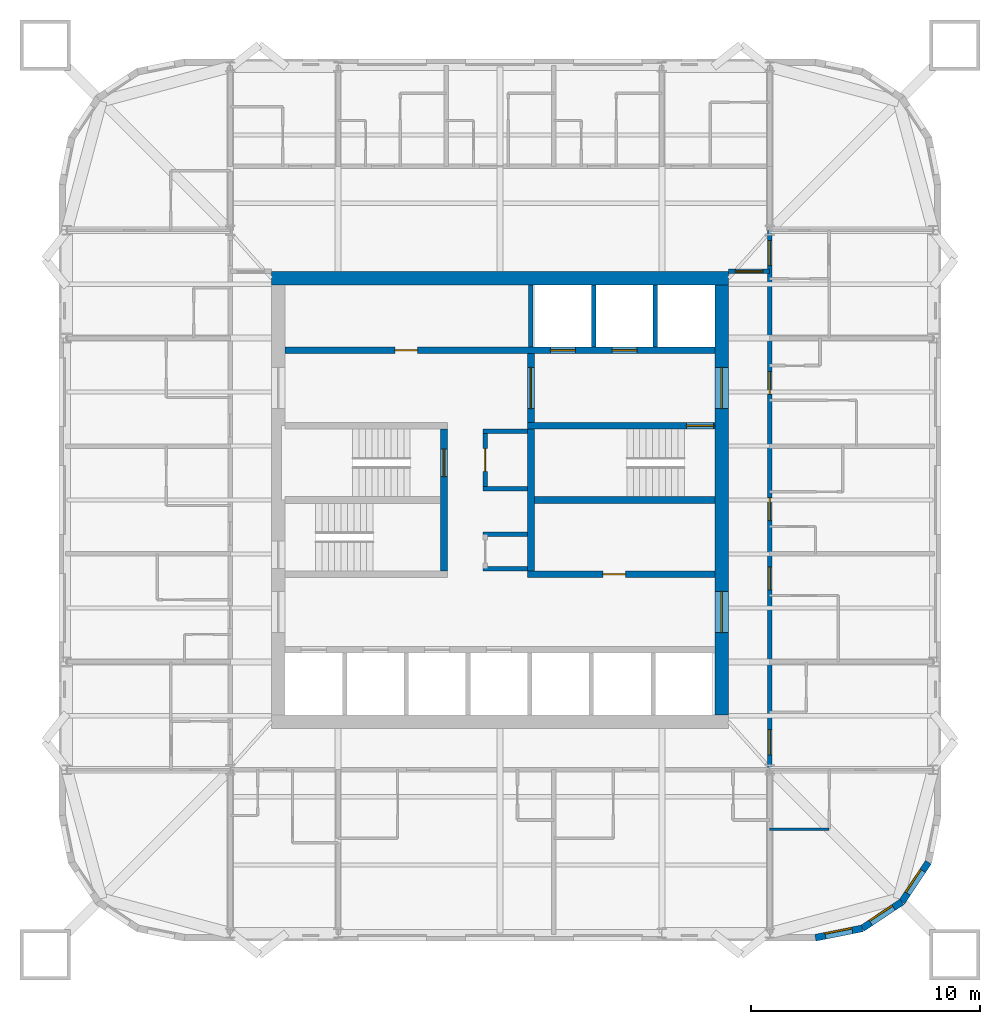
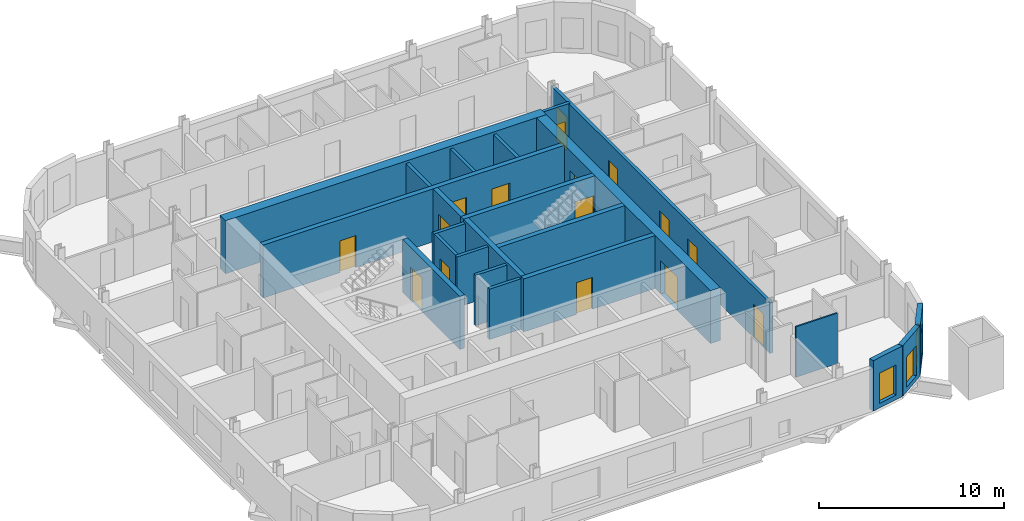
# One storey, part 5 of 9: 22 walls, 16 doors, 3 windows, 19 openings.
"""IFC4 building model written with IfcOpenShell, lengths in metres."""

from ifc_helpers import new_model, si_unit, direction, frame, frame_2d, origin, place, context, subcontext, project, spatial, rectangle, extrude, material, layer, layer_set, type_object, element, fill, save


model = new_model("IFC4")

# Units and contexts
model_context = context("Model", 3, precision=1e-05, world=origin(), true_north=direction((0.0, 1.0)))
body_context = subcontext(model_context, "Body", "Model", "MODEL_VIEW")
ifc_project = project(units=[si_unit("LENGTHUNIT", "METRE"), si_unit("AREAUNIT", "SQUARE_METRE"), si_unit("VOLUMEUNIT", "CUBIC_METRE"), si_unit("PLANEANGLEUNIT", "RADIAN"), si_unit("MASSUNIT", "GRAM", prefix="KILO")], contexts=[model_context])

# Site, building, storey
site_placement = place(None, origin())
site = spatial("IfcSite", under=ifc_project, at=site_placement, CompositionType="ELEMENT")
building_placement = place(site_placement, origin())
building = spatial("IfcBuilding", under=site, at=building_placement, Name="Turquesa Mirador Hotel Tower", CompositionType="ELEMENT")
storey_placement = place(building_placement, frame((0.0, 0.0, 175.800048828125)))
storey = spatial("IfcBuildingStorey", under=building, at=storey_placement, Name="L47", CompositionType="ELEMENT", Elevation=175.800048828125)

# Wall
ifc_material_1 = material(Name="Gypsum board on steel studs", Category="steel")
ifc_layer_1 = layer(ifc_material_1, 0.10009765625)
ifc_layer_set_1 = layer_set([ifc_layer_1], Name="BATHROOM WALL 100")
wall_type_1 = type_object("IfcWallType", Name="BATHROOM WALL 100", PredefinedType="PARTITIONING", material=ifc_layer_set_1)
wall_1_placement = place(storey_placement, frame((66.800048828125, 30.60009765625, 0.0), z_axis=(0.0, 0.0, 1.0), x_axis=(1.0, 0.0, 0.0)))
element("IfcWall", 1, at=wall_1_placement, inside=storey, type_object=wall_type_1, Name="Partition L47 010", PredefinedType="PARTITIONING", context=body_context, shape_type="SweptSolid", body=[
    extrude(rectangle(XDim=2.599853515625, YDim=0.10009765625, at=frame_2d((1.2998046875, 0.0))), origin(), (0.0, 0.0, 1.0), 3.329833984375),
])

# Wall, openings, doors
ifc_material_2 = material(Name="Concrete C50/60", Category="concrete")
ifc_layer_2 = layer(ifc_material_2, 0.300048828125)
ifc_layer_set_2 = layer_set([ifc_layer_2], Name="CORE INNER WALL 300")
wall_type_2 = type_object("IfcWallType", Name="CORE INNER WALL 300", PredefinedType="SHEAR", material=ifc_layer_set_2)
wall_2_placement = place(storey_placement, frame((45.60009765625, 51.550048828125, 0.0), z_axis=(0.0, 0.0, 1.0), x_axis=(1.0, 0.0, 0.0)))
wall_2 = element("IfcWall", 2, at=wall_2_placement, inside=storey, type_object=wall_type_2, Name="Core wall NL", PredefinedType="SHEAR", context=body_context, shape_type="SweptSolid", body=[
    extrude(rectangle(XDim=18.7998046875, YDim=0.300048828125, at=frame_2d((9.39990234375, 0.0))), origin(), (0.0, 0.0, 1.0), 3.5),
])
opening_1_placement = place(wall_2_placement, frame((4.800048828125, 0.0, 0.0)))
opening_1 = element("IfcOpeningElement", 3, at=opening_1_placement, cuts=wall_2, Name="Opening D05", PredefinedType="OPENING", context=body_context, shape_type="SweptSolid", body=[
    extrude(rectangle(XDim=1.0, YDim=2.10009765625, at=frame_2d((0.5, 1.050048828125))), frame((0.0, 0.159912109375, 0.0), z_axis=(0.0, -1.0, 0.0), x_axis=(1.0, 0.0, 0.0)), (0.0, 0.0, 1.0), 0.320068359375),
])
opening_2_placement = place(wall_2_placement, frame((11.60009765625, 0.0, 0.0)))
opening_2 = element("IfcOpeningElement", 4, at=opening_2_placement, cuts=wall_2, Name="Opening LD", PredefinedType="OPENING", context=body_context, shape_type="SweptSolid", body=[
    extrude(rectangle(XDim=1.10009765625, YDim=2.199951171875, at=frame_2d((0.550048828125, 1.10009765625))), frame((0.0, 0.159912109375, 0.0), z_axis=(0.0, -1.0, 0.0), x_axis=(1.0, 0.0, 0.0)), (0.0, 0.0, 1.0), 0.320068359375),
])
opening_3_placement = place(wall_2_placement, frame((14.300048828125, 0.0, 0.0)))
opening_3 = element("IfcOpeningElement", 5, at=opening_3_placement, cuts=wall_2, Name="Opening LD", PredefinedType="OPENING", context=body_context, shape_type="SweptSolid", body=[
    extrude(rectangle(XDim=1.10009765625, YDim=2.199951171875, at=frame_2d((0.550048828125, 1.10009765625))), frame((0.0, 0.159912109375, 0.0), z_axis=(0.0, -1.0, 0.0), x_axis=(1.0, 0.0, 0.0)), (0.0, 0.0, 1.0), 0.320068359375),
])
ifc_material_3 = material(Name="Steel fire door", Category="steel")
door_type_1 = type_object("IfcDoorType", Name="DOOR 1000X2100 SERVICE", OperationType="SINGLE_SWING_LEFT", PredefinedType="DOOR", material=ifc_material_3)
door_1_placement = place(opening_1_placement, origin())
door_1 = element("IfcDoor", 6, at=door_1_placement, inside=storey, type_object=door_type_1, Name="Linen store door", OperationType="SINGLE_SWING_LEFT", OverallHeight=2.10009765625, OverallWidth=1.0, PredefinedType="DOOR", context=body_context, shape_type="SweptSolid", body=[
    extrude(rectangle(XDim=1.0, YDim=2.10009765625, at=frame_2d((0.5, 1.050048828125))), frame((0.0, 0.02490234375, 0.0), z_axis=(0.0, -1.0, 0.0), x_axis=(1.0, 0.0, 0.0)), (0.0, 0.0, 1.0), 0.050048828125),
])
fill(opening_1, door_1)
ifc_material_4 = material(Name="Stainless steel lift landing door", Category="steel")
door_type_2 = type_object("IfcDoorType", Name="LIFT LANDING DOOR 1100X2200", OperationType="SLIDING_TO_LEFT", PredefinedType="DOOR", material=ifc_material_4)
door_2_placement = place(opening_2_placement, origin())
door_2 = element("IfcDoor", 7, at=door_2_placement, inside=storey, type_object=door_type_2, Name="Lift S1 landing door", OperationType="SLIDING_TO_LEFT", OverallHeight=2.199951171875, OverallWidth=1.10009765625, PredefinedType="DOOR", context=body_context, shape_type="SweptSolid", body=[
    extrude(rectangle(XDim=1.10009765625, YDim=2.199951171875, at=frame_2d((0.550048828125, 1.10009765625))), frame((0.0, 0.02490234375, 0.0), z_axis=(0.0, -1.0, 0.0), x_axis=(1.0, 0.0, 0.0)), (0.0, 0.0, 1.0), 0.050048828125),
])
fill(opening_2, door_2)
door_3_placement = place(opening_3_placement, origin())
door_3 = element("IfcDoor", 8, at=door_3_placement, inside=storey, type_object=door_type_2, Name="Lift S2 landing door", OperationType="SLIDING_TO_LEFT", OverallHeight=2.199951171875, OverallWidth=1.10009765625, PredefinedType="DOOR", context=body_context, shape_type="SweptSolid", body=[
    extrude(rectangle(XDim=1.10009765625, YDim=2.199951171875, at=frame_2d((0.550048828125, 1.10009765625))), frame((0.0, 0.02490234375, 0.0), z_axis=(0.0, -1.0, 0.0), x_axis=(1.0, 0.0, 0.0)), (0.0, 0.0, 1.0), 0.050048828125),
])
fill(opening_3, door_3)

# Wall, opening, door
wall_3_placement = place(storey_placement, frame((56.199951171875, 48.25, 0.0), z_axis=(0.0, 0.0, 1.0), x_axis=(1.0, 0.0, 0.0)))
wall_3 = element("IfcWall", 9, at=wall_3_placement, inside=storey, type_object=wall_type_2, Name="Core wall MN-E", PredefinedType="SHEAR", context=body_context, shape_type="SweptSolid", body=[
    extrude(rectangle(XDim=8.199951171875, YDim=0.300048828125, at=frame_2d((4.10009765625, 0.0))), origin(), (0.0, 0.0, 1.0), 3.5),
])
opening_4_placement = place(wall_3_placement, frame((6.949951171875, 0.0, 0.0)))
opening_4 = element("IfcOpeningElement", 10, at=opening_4_placement, cuts=wall_3, Name="Opening D03", PredefinedType="OPENING", context=body_context, shape_type="SweptSolid", body=[
    extrude(rectangle(XDim=1.199951171875, YDim=2.199951171875, at=frame_2d((0.60009765625, 1.10009765625))), frame((0.0, 0.159912109375, 0.0), z_axis=(0.0, -1.0, 0.0), x_axis=(1.0, 0.0, 0.0)), (0.0, 0.0, 1.0), 0.320068359375),
])
ifc_material_5 = material(Name="Steel fire door", Category="steel")
door_type_3 = type_object("IfcDoorType", Name="DOOR 1200X2200 STAIR", OperationType="SINGLE_SWING_LEFT", PredefinedType="DOOR", material=ifc_material_5)
door_4_placement = place(opening_4_placement, origin())
door_4 = element("IfcDoor", 11, at=door_4_placement, inside=storey, type_object=door_type_3, Name="Stair ST3 door", OperationType="SINGLE_SWING_LEFT", OverallHeight=2.199951171875, OverallWidth=1.199951171875, PredefinedType="DOOR", context=body_context, shape_type="SweptSolid", body=[
    extrude(rectangle(XDim=1.199951171875, YDim=2.199951171875, at=frame_2d((0.60009765625, 1.10009765625))), frame((0.0, 0.02490234375, 0.0), z_axis=(0.0, -1.0, 0.0), x_axis=(1.0, 0.0, 0.0)), (0.0, 0.0, 1.0), 0.050048828125),
])
fill(opening_4, door_4)

wall_4_placement = place(storey_placement, frame((56.199951171875, 41.75, 0.0), z_axis=(0.0, 0.0, 1.0), x_axis=(1.0, 0.0, 0.0)))
wall_4 = element("IfcWall", 12, at=wall_4_placement, inside=storey, type_object=wall_type_2, Name="Core wall MS-E", PredefinedType="SHEAR", context=body_context, shape_type="SweptSolid", body=[
    extrude(rectangle(XDim=8.199951171875, YDim=0.300048828125, at=frame_2d((4.10009765625, 0.0))), origin(), (0.0, 0.0, 1.0), 3.5),
])
opening_5_placement = place(wall_4_placement, frame((3.300048828125, 0.0, 0.0)))
opening_5 = element("IfcOpeningElement", 13, at=opening_5_placement, cuts=wall_4, Name="Opening D05", PredefinedType="OPENING", context=body_context, shape_type="SweptSolid", body=[
    extrude(rectangle(XDim=1.0, YDim=2.10009765625, at=frame_2d((0.5, 1.050048828125))), frame((0.0, 0.159912109375, 0.0), z_axis=(0.0, -1.0, 0.0), x_axis=(1.0, 0.0, 0.0)), (0.0, 0.0, 1.0), 0.320068359375),
])
door_5_placement = place(opening_5_placement, origin())
door_5 = element("IfcDoor", 14, at=door_5_placement, inside=storey, type_object=door_type_1, Name="Housekeeping room door", OperationType="SINGLE_SWING_LEFT", OverallHeight=2.10009765625, OverallWidth=1.0, PredefinedType="DOOR", context=body_context, shape_type="SweptSolid", body=[
    extrude(rectangle(XDim=1.0, YDim=2.10009765625, at=frame_2d((0.5, 1.050048828125))), frame((0.0, 0.02490234375, 0.0), z_axis=(0.0, -1.0, 0.0), x_axis=(1.0, 0.0, 0.0)), (0.0, 0.0, 1.0), 0.050048828125),
])
fill(opening_5, door_5)

wall_5_placement = place(storey_placement, frame((52.550048828125, 41.89990234375, 0.0), z_axis=(0.0, 0.0, 1.0), x_axis=(0.0, 1.0, 0.0)))
wall_5 = element("IfcWall", 15, at=wall_5_placement, inside=storey, type_object=wall_type_2, Name="Core wall PW", PredefinedType="SHEAR", context=body_context, shape_type="SweptSolid", body=[
    extrude(rectangle(XDim=6.2001953125, YDim=0.300048828125, at=frame_2d((3.10009765625, 0.0))), origin(), (0.0, 0.0, 1.0), 3.5),
])
opening_6_placement = place(wall_5_placement, frame((4.125, 0.0, 0.0)))
opening_6 = element("IfcOpeningElement", 16, at=opening_6_placement, cuts=wall_5, Name="Opening D03", PredefinedType="OPENING", context=body_context, shape_type="SweptSolid", body=[
    extrude(rectangle(XDim=1.199951171875, YDim=2.199951171875, at=frame_2d((0.60009765625, 1.10009765625))), frame((0.0, 0.159912109375, 0.0), z_axis=(0.0, -1.0, 0.0), x_axis=(1.0, 0.0, 0.0)), (0.0, 0.0, 1.0), 0.320068359375),
])
door_6_placement = place(opening_6_placement, origin())
door_6 = element("IfcDoor", 17, at=door_6_placement, inside=storey, type_object=door_type_3, Name="Stair ST1 door", OperationType="SINGLE_SWING_LEFT", OverallHeight=2.199951171875, OverallWidth=1.199951171875, PredefinedType="DOOR", context=body_context, shape_type="SweptSolid", body=[
    extrude(rectangle(XDim=1.199951171875, YDim=2.199951171875, at=frame_2d((0.60009765625, 1.10009765625))), frame((0.0, 0.02490234375, 0.0), z_axis=(0.0, -1.0, 0.0), x_axis=(1.0, 0.0, 0.0)), (0.0, 0.0, 1.0), 0.050048828125),
])
fill(opening_6, door_6)

wall_6_placement = place(storey_placement, frame((56.35009765625, 41.89990234375, 0.0), z_axis=(0.0, 0.0, 1.0), x_axis=(0.0, 1.0, 0.0)))
wall_6 = element("IfcWall", 18, at=wall_6_placement, inside=storey, type_object=wall_type_2, Name="Core wall PE", PredefinedType="SHEAR", context=body_context, shape_type="SweptSolid", body=[
    extrude(rectangle(XDim=9.5, YDim=0.300048828125, at=frame_2d((4.75, 0.0))), origin(), (0.0, 0.0, 1.0), 3.5),
])
opening_7_placement = place(wall_6_placement, frame((7.10009765625, 0.0, 0.0)))
opening_7 = element("IfcOpeningElement", 19, at=opening_7_placement, cuts=wall_6, Name="Opening D04", PredefinedType="OPENING", context=body_context, shape_type="SweptSolid", body=[
    extrude(rectangle(XDim=1.800048828125, YDim=2.199951171875, at=frame_2d((0.89990234375, 1.10009765625))), frame((0.0, 0.159912109375, 0.0), z_axis=(0.0, -1.0, 0.0), x_axis=(1.0, 0.0, 0.0)), (0.0, 0.0, 1.0), 0.320068359375),
])
ifc_material_6 = material(Name="Steel fire door pair", Category="steel")
door_type_4 = type_object("IfcDoorType", Name="DOOR 1800X2200 PAIR", OperationType="DOUBLE_DOOR_SINGLE_SWING", PredefinedType="DOOR", material=ifc_material_6)
door_7_placement = place(opening_7_placement, origin())
door_7 = element("IfcDoor", 20, at=door_7_placement, inside=storey, type_object=door_type_4, Name="Firefighting lobby inner door", OperationType="DOUBLE_DOOR_SINGLE_SWING", OverallHeight=2.199951171875, OverallWidth=1.800048828125, PredefinedType="DOOR", context=body_context, shape_type="SweptSolid", body=[
    extrude(rectangle(XDim=1.800048828125, YDim=2.199951171875, at=frame_2d((0.89990234375, 1.10009765625))), frame((0.0, 0.02490234375, 0.0), z_axis=(0.0, -1.0, 0.0), x_axis=(1.0, 0.0, 0.0)), (0.0, 0.0, 1.0), 0.050048828125),
])
fill(opening_7, door_7)

# Walls
wall_7_placement = place(storey_placement, frame((56.5, 45.0, 0.0), z_axis=(0.0, 0.0, 1.0), x_axis=(1.0, 0.0, 0.0)))
element("IfcWall", 21, at=wall_7_placement, inside=storey, type_object=wall_type_2, Name="Core wall M0-E", PredefinedType="SHEAR", context=body_context, shape_type="SweptSolid", body=[
    extrude(rectangle(XDim=7.89990234375, YDim=0.300048828125, at=frame_2d((3.949951171875, 0.0))), origin(), (0.0, 0.0, 1.0), 3.5),
])
ifc_material_7 = material(Name="Concrete C50/60", Category="concrete")
ifc_layer_3 = layer(ifc_material_7, 0.60009765625)
ifc_layer_set_3 = layer_set([ifc_layer_3], Name="CORE WALL 600")
wall_type_3 = type_object("IfcWallType", Name="CORE WALL 600", PredefinedType="SHEAR", material=ifc_layer_set_3)
wall_8_placement = place(storey_placement, frame((45.0, 54.699951171875, 0.0), z_axis=(0.0, 0.0, 1.0), x_axis=(1.0, 0.0, 0.0)))
element("IfcWall", 22, at=wall_8_placement, inside=storey, type_object=wall_type_3, Name="Core wall N", PredefinedType="SHEAR", context=body_context, shape_type="SweptSolid", body=[
    extrude(rectangle(XDim=20.0, YDim=0.60009765625, at=frame_2d((10.0, 0.0))), origin(), (0.0, 0.0, 1.0), 3.5),
])

# Wall, openings, doors
wall_9_placement = place(storey_placement, frame((64.699951171875, 35.60009765625, 0.0), z_axis=(0.0, 0.0, 1.0), x_axis=(0.0, 1.0, 0.0)))
wall_9 = element("IfcWall", 23, at=wall_9_placement, inside=storey, type_object=wall_type_3, Name="Core wall E", PredefinedType="SHEAR", context=body_context, shape_type="SweptSolid", body=[
    extrude(rectangle(XDim=18.7998046875, YDim=0.60009765625, at=frame_2d((9.39990234375, 0.0))), origin(), (0.0, 0.0, 1.0), 3.5),
])
opening_8_placement = place(wall_9_placement, frame((13.39990234375, 0.0, 0.0)))
opening_8 = element("IfcOpeningElement", 24, at=opening_8_placement, cuts=wall_9, Name="Opening D04", PredefinedType="OPENING", context=body_context, shape_type="SweptSolid", body=[
    extrude(rectangle(XDim=1.800048828125, YDim=2.199951171875, at=frame_2d((0.89990234375, 1.10009765625))), frame((0.0, 0.31005859375, 0.0), z_axis=(0.0, -1.0, 0.0), x_axis=(1.0, 0.0, 0.0)), (0.0, 0.0, 1.0), 0.6201171875),
])
opening_9_placement = place(wall_9_placement, frame((3.60009765625, 0.0, 0.0)))
opening_9 = element("IfcOpeningElement", 25, at=opening_9_placement, cuts=wall_9, Name="Opening D04", PredefinedType="OPENING", context=body_context, shape_type="SweptSolid", body=[
    extrude(rectangle(XDim=1.800048828125, YDim=2.199951171875, at=frame_2d((0.89990234375, 1.10009765625))), frame((0.0, 0.31005859375, 0.0), z_axis=(0.0, -1.0, 0.0), x_axis=(1.0, 0.0, 0.0)), (0.0, 0.0, 1.0), 0.6201171875),
])
door_8_placement = place(opening_8_placement, origin())
door_8 = element("IfcDoor", 26, at=door_8_placement, inside=storey, type_object=door_type_4, Name="Firefighting lobby door", OperationType="DOUBLE_DOOR_SINGLE_SWING", OverallHeight=2.199951171875, OverallWidth=1.800048828125, PredefinedType="DOOR", context=body_context, shape_type="SweptSolid", body=[
    extrude(rectangle(XDim=1.800048828125, YDim=2.199951171875, at=frame_2d((0.89990234375, 1.10009765625))), frame((0.0, 0.02490234375, 0.0), z_axis=(0.0, -1.0, 0.0), x_axis=(1.0, 0.0, 0.0)), (0.0, 0.0, 1.0), 0.050048828125),
])
fill(opening_8, door_8)
door_9_placement = place(opening_9_placement, origin())
door_9 = element("IfcDoor", 27, at=door_9_placement, inside=storey, type_object=door_type_4, Name="South lift lobby door", OperationType="DOUBLE_DOOR_SINGLE_SWING", OverallHeight=2.199951171875, OverallWidth=1.800048828125, PredefinedType="DOOR", context=body_context, shape_type="SweptSolid", body=[
    extrude(rectangle(XDim=1.800048828125, YDim=2.199951171875, at=frame_2d((0.89990234375, 1.10009765625))), frame((0.0, 0.02490234375, 0.0), z_axis=(0.0, -1.0, 0.0), x_axis=(1.0, 0.0, 0.0)), (0.0, 0.0, 1.0), 0.050048828125),
])
fill(opening_9, door_9)

# Wall, opening, door
ifc_material_8 = material(Name="Fire-rated gypsum board on steel studs", Category="steel")
ifc_layer_4 = layer(ifc_material_8, 0.199951171875)
ifc_layer_set_4 = layer_set([ifc_layer_4], Name="CORRIDOR WALL 200")
wall_type_4 = type_object("IfcWallType", Name="CORRIDOR WALL 200", PredefinedType="PARTITIONING", material=ifc_layer_set_4)
wall_10_placement = place(storey_placement, frame((65.0, 55.0, 0.0), z_axis=(0.0, 0.0, 1.0), x_axis=(1.0, 0.0, 0.0)))
wall_10 = element("IfcWall", 28, at=wall_10_placement, inside=storey, type_object=wall_type_4, Name="Partition L47 025", PredefinedType="PARTITIONING", context=body_context, shape_type="SweptSolid", body=[
    extrude(rectangle(XDim=1.800048828125, YDim=0.199951171875, at=frame_2d((0.89990234375, 0.0))), origin(), (0.0, 0.0, 1.0), 3.329833984375),
])
opening_10_placement = place(wall_10_placement, frame((0.300048828125, 0.0, 0.0)))
opening_10 = element("IfcOpeningElement", 29, at=opening_10_placement, cuts=wall_10, Name="Opening D19", PredefinedType="OPENING", context=body_context, shape_type="SweptSolid", body=[
    extrude(rectangle(XDim=1.199951171875, YDim=2.199951171875, at=frame_2d((0.60009765625, 1.10009765625))), frame((0.0, 0.10986328125, 0.0), z_axis=(0.0, -1.0, 0.0), x_axis=(1.0, 0.0, 0.0)), (0.0, 0.0, 1.0), 0.219970703125),
])
ifc_material_9 = material(Name="Steel glazed fire door", Category="steel")
door_type_5 = type_object("IfcDoorType", Name="DOOR 1200X2200 FIRE DOOR GLAZED", OperationType="SINGLE_SWING_LEFT", PredefinedType="DOOR", material=ifc_material_9)
door_10_placement = place(opening_10_placement, origin())
door_10 = element("IfcDoor", 30, at=door_10_placement, inside=storey, type_object=door_type_5, Name="Door L47-C03-1", OperationType="SINGLE_SWING_LEFT", OverallHeight=2.199951171875, OverallWidth=1.199951171875, PredefinedType="DOOR", context=body_context, shape_type="SweptSolid", body=[
    extrude(rectangle(XDim=1.199951171875, YDim=2.199951171875, at=frame_2d((0.60009765625, 1.10009765625))), frame((0.0, 0.02490234375, 0.0), z_axis=(0.0, -1.0, 0.0), x_axis=(1.0, 0.0, 0.0)), (0.0, 0.0, 1.0), 0.050048828125),
])
fill(opening_10, door_10)

# Wall, openings, doors
wall_11_placement = place(storey_placement, frame((66.800048828125, 33.199951171875, 0.0), z_axis=(0.0, 0.0, 1.0), x_axis=(0.0, 1.0, 0.0)))
wall_11 = element("IfcWall", 31, at=wall_11_placement, inside=storey, type_object=wall_type_4, Name="Partition L47 073", PredefinedType="PARTITIONING", context=body_context, shape_type="SweptSolid", body=[
    extrude(rectangle(XDim=23.580078125, YDim=0.199951171875, at=frame_2d((11.7900390625, 0.0))), origin(), (0.0, 0.0, 1.0), 3.329833984375),
])
opening_11_placement = place(wall_11_placement, frame((7.8701171875, 0.0, 0.0)))
opening_11 = element("IfcOpeningElement", 32, at=opening_11_placement, cuts=wall_11, Name="Opening D01", PredefinedType="OPENING", context=body_context, shape_type="SweptSolid", body=[
    extrude(rectangle(XDim=1.0, YDim=2.199951171875, at=frame_2d((0.5, 1.10009765625))), frame((0.0, 0.10986328125, 0.0), z_axis=(0.0, -1.0, 0.0), x_axis=(1.0, 0.0, 0.0)), (0.0, 0.0, 1.0), 0.219970703125),
])
opening_12_placement = place(wall_11_placement, frame((10.89990234375, 0.0, 0.0)))
opening_12 = element("IfcOpeningElement", 33, at=opening_12_placement, cuts=wall_11, Name="Opening D01", PredefinedType="OPENING", context=body_context, shape_type="SweptSolid", body=[
    extrude(rectangle(XDim=1.0, YDim=2.199951171875, at=frame_2d((0.5, 1.10009765625))), frame((0.0, 0.10986328125, 0.0), z_axis=(0.0, -1.0, 0.0), x_axis=(1.0, 0.0, 0.0)), (0.0, 0.0, 1.0), 0.219970703125),
])
opening_13_placement = place(wall_11_placement, frame((16.419921875, 0.0, 0.0)))
opening_13 = element("IfcOpeningElement", 34, at=opening_13_placement, cuts=wall_11, Name="Opening D01", PredefinedType="OPENING", context=body_context, shape_type="SweptSolid", body=[
    extrude(rectangle(XDim=1.0, YDim=2.199951171875, at=frame_2d((0.5, 1.10009765625))), frame((0.0, 0.10986328125, 0.0), z_axis=(0.0, -1.0, 0.0), x_axis=(1.0, 0.0, 0.0)), (0.0, 0.0, 1.0), 0.219970703125),
])
opening_14_placement = place(wall_11_placement, frame((22.050048828125, 0.0, 0.0)))
opening_14 = element("IfcOpeningElement", 35, at=opening_14_placement, cuts=wall_11, Name="Opening D15", PredefinedType="OPENING", context=body_context, shape_type="SweptSolid", body=[
    extrude(rectangle(XDim=1.10009765625, YDim=2.199951171875, at=frame_2d((0.550048828125, 1.10009765625))), frame((0.0, 0.10986328125, 0.0), z_axis=(0.0, -1.0, 0.0), x_axis=(1.0, 0.0, 0.0)), (0.0, 0.0, 1.0), 0.219970703125),
])
opening_15_placement = place(wall_11_placement, frame((0.64990234375, 0.0, 0.0)))
opening_15 = element("IfcOpeningElement", 36, at=opening_15_placement, cuts=wall_11, Name="Opening D15", PredefinedType="OPENING", context=body_context, shape_type="SweptSolid", body=[
    extrude(rectangle(XDim=1.10009765625, YDim=2.199951171875, at=frame_2d((0.550048828125, 1.10009765625))), frame((0.0, 0.10986328125, 0.0), z_axis=(0.0, -1.0, 0.0), x_axis=(1.0, 0.0, 0.0)), (0.0, 0.0, 1.0), 0.219970703125),
])
ifc_material_10 = material(Name="Timber veneered fire door", Category="wood")
door_type_6 = type_object("IfcDoorType", Name="DOOR 1000X2200 GUEST ENTRY", OperationType="SINGLE_SWING_LEFT", PredefinedType="DOOR", material=ifc_material_10)
door_11_placement = place(opening_11_placement, origin())
door_11 = element("IfcDoor", 37, at=door_11_placement, inside=storey, type_object=door_type_6, Name="Door 4709", OperationType="SINGLE_SWING_LEFT", OverallHeight=2.199951171875, OverallWidth=1.0, PredefinedType="DOOR", context=body_context, shape_type="SweptSolid", body=[
    extrude(rectangle(XDim=1.0, YDim=2.199951171875, at=frame_2d((0.5, 1.10009765625))), frame((0.0, 0.02490234375, 0.0), z_axis=(0.0, -1.0, 0.0), x_axis=(1.0, 0.0, 0.0)), (0.0, 0.0, 1.0), 0.050048828125),
])
fill(opening_11, door_11)
door_12_placement = place(opening_12_placement, origin())
door_12 = element("IfcDoor", 38, at=door_12_placement, inside=storey, type_object=door_type_6, Name="Door 4710", OperationType="SINGLE_SWING_LEFT", OverallHeight=2.199951171875, OverallWidth=1.0, PredefinedType="DOOR", context=body_context, shape_type="SweptSolid", body=[
    extrude(rectangle(XDim=1.0, YDim=2.199951171875, at=frame_2d((0.5, 1.10009765625))), frame((0.0, 0.02490234375, 0.0), z_axis=(0.0, -1.0, 0.0), x_axis=(1.0, 0.0, 0.0)), (0.0, 0.0, 1.0), 0.050048828125),
])
fill(opening_12, door_12)
door_13_placement = place(opening_13_placement, origin())
door_13 = element("IfcDoor", 39, at=door_13_placement, inside=storey, type_object=door_type_6, Name="Door 4711", OperationType="SINGLE_SWING_LEFT", OverallHeight=2.199951171875, OverallWidth=1.0, PredefinedType="DOOR", context=body_context, shape_type="SweptSolid", body=[
    extrude(rectangle(XDim=1.0, YDim=2.199951171875, at=frame_2d((0.5, 1.10009765625))), frame((0.0, 0.02490234375, 0.0), z_axis=(0.0, -1.0, 0.0), x_axis=(1.0, 0.0, 0.0)), (0.0, 0.0, 1.0), 0.050048828125),
])
fill(opening_13, door_13)
ifc_material_11 = material(Name="Timber veneered fire door", Category="wood")
door_type_7 = type_object("IfcDoorType", Name="DOOR 1100X2200 SUITE ENTRY", OperationType="SINGLE_SWING_LEFT", PredefinedType="DOOR", material=ifc_material_11)
door_14_placement = place(opening_14_placement, origin())
door_14 = element("IfcDoor", 40, at=door_14_placement, inside=storey, type_object=door_type_7, Name="Door 4715H", OperationType="SINGLE_SWING_LEFT", OverallHeight=2.199951171875, OverallWidth=1.10009765625, PredefinedType="DOOR", context=body_context, shape_type="SweptSolid", body=[
    extrude(rectangle(XDim=1.10009765625, YDim=2.199951171875, at=frame_2d((0.550048828125, 1.10009765625))), frame((0.0, 0.02490234375, 0.0), z_axis=(0.0, -1.0, 0.0), x_axis=(1.0, 0.0, 0.0)), (0.0, 0.0, 1.0), 0.050048828125),
])
fill(opening_14, door_14)
door_15_placement = place(opening_15_placement, origin())
door_15 = element("IfcDoor", 41, at=door_15_placement, inside=storey, type_object=door_type_7, Name="Door 4718", OperationType="SINGLE_SWING_LEFT", OverallHeight=2.199951171875, OverallWidth=1.10009765625, PredefinedType="DOOR", context=body_context, shape_type="SweptSolid", body=[
    extrude(rectangle(XDim=1.10009765625, YDim=2.199951171875, at=frame_2d((0.550048828125, 1.10009765625))), frame((0.0, 0.02490234375, 0.0), z_axis=(0.0, -1.0, 0.0), x_axis=(1.0, 0.0, 0.0)), (0.0, 0.0, 1.0), 0.050048828125),
])
fill(opening_15, door_15)

# Wall, opening, window
ifc_material_12 = material(Name="Limestone cladding on concrete block", Category="masonry")
ifc_layer_5 = layer(ifc_material_12, 0.300048828125)
ifc_layer_set_5 = layer_set([ifc_layer_5], Name="FACADE WALL 300 STONE SCREEN")
wall_type_5 = type_object("IfcWallType", Name="FACADE WALL 300 STONE SCREEN", PredefinedType="SOLIDWALL", material=ifc_layer_set_5)
wall_12_placement = place(storey_placement, frame((68.800048828125, 25.85009765625, 0.0), z_axis=(0.0, 0.0, 1.0), x_axis=(0.980787050784, 0.195081421501, 0.0)))
wall_12 = element("IfcWall", 42, at=wall_12_placement, inside=storey, type_object=wall_type_5, Name="Facade wall L47 00", PredefinedType="SOLIDWALL", context=body_context, shape_type="SweptSolid", body=[
    extrude(rectangle(XDim=2.08740234375, YDim=0.300048828125, at=frame_2d((1.043701171875, 0.0))), origin(), (0.0, 0.0, 1.0), 3.329833984375),
])
opening_16_placement = place(wall_12_placement, frame((0.443603515625, 0.0, 0.300048828125)))
opening_16 = element("IfcOpeningElement", 43, at=opening_16_placement, cuts=wall_12, Name="Opening WN4", PredefinedType="OPENING", context=body_context, shape_type="SweptSolid", body=[
    extrude(rectangle(XDim=1.199951171875, YDim=2.0, at=frame_2d((0.60009765625, 1.0))), frame((0.0, 0.159912109375, 0.0), z_axis=(0.0, -1.0, 0.0), x_axis=(1.0, 0.0, 0.0)), (0.0, 0.0, 1.0), 0.320068359375),
])
ifc_material_13 = material(Name="Ceramic-fritted laminated glass", Category="glass")
window_type = type_object("IfcWindowType", Name="FRITTED CORNER WINDOW 1200X2000", PartitioningType="DOUBLE_PANEL_HORIZONTAL", PredefinedType="WINDOW", material=ifc_material_13)
window_1_placement = place(opening_16_placement, origin())
window_1 = element("IfcWindow", 44, at=window_1_placement, inside=storey, type_object=window_type, Name="Window L47", OverallHeight=2.0, OverallWidth=1.199951171875, PartitioningType="SINGLE_PANEL", PredefinedType="WINDOW", context=body_context, shape_type="SweptSolid", body=[
    extrude(rectangle(XDim=1.199951171875, YDim=2.0, at=frame_2d((0.60009765625, 1.0))), frame((0.0, 0.130126953125, 0.0), z_axis=(0.0, -1.0, 0.0), x_axis=(1.0, 0.0, 0.0)), (0.0, 0.0, 1.0), 0.06005859375),
])
fill(opening_16, window_1)

wall_13_placement = place(storey_placement, frame((70.847412109375, 26.25732421875, 0.0), z_axis=(0.0, 0.0, 1.0), x_axis=(0.831474039234, 0.555563607591, 0.0)))
wall_13 = element("IfcWall", 45, at=wall_13_placement, inside=storey, type_object=wall_type_5, Name="Facade wall L47 01", PredefinedType="SOLIDWALL", context=body_context, shape_type="SweptSolid", body=[
    extrude(rectangle(XDim=2.08740234375, YDim=0.300048828125, at=frame_2d((1.043701171875, 0.0))), origin(), (0.0, 0.0, 1.0), 3.329833984375),
])
opening_17_placement = place(wall_13_placement, frame((0.443603515625, 0.0, 0.300048828125)))
opening_17 = element("IfcOpeningElement", 46, at=opening_17_placement, cuts=wall_13, Name="Opening WN4", PredefinedType="OPENING", context=body_context, shape_type="SweptSolid", body=[
    extrude(rectangle(XDim=1.199951171875, YDim=2.0, at=frame_2d((0.60009765625, 1.0))), frame((0.0, 0.159912109375, 0.0), z_axis=(0.0, -1.0, 0.0), x_axis=(1.0, 0.0, 0.0)), (0.0, 0.0, 1.0), 0.320068359375),
])
window_2_placement = place(opening_17_placement, origin())
window_2 = element("IfcWindow", 47, at=window_2_placement, inside=storey, type_object=window_type, Name="Window L47", OverallHeight=2.0, OverallWidth=1.199951171875, PartitioningType="SINGLE_PANEL", PredefinedType="WINDOW", context=body_context, shape_type="SweptSolid", body=[
    extrude(rectangle(XDim=1.199951171875, YDim=2.0, at=frame_2d((0.60009765625, 1.0))), frame((0.0, 0.130126953125, 0.0), z_axis=(0.0, -1.0, 0.0), x_axis=(1.0, 0.0, 0.0)), (0.0, 0.0, 1.0), 0.06005859375),
])
fill(opening_17, window_2)

wall_14_placement = place(storey_placement, frame((72.5830078125, 27.4169921875, 0.0), z_axis=(0.0, 0.0, 1.0), x_axis=(0.555563607591, 0.831474039234, 0.0)))
wall_14 = element("IfcWall", 48, at=wall_14_placement, inside=storey, type_object=wall_type_5, Name="Facade wall L47 02", PredefinedType="SOLIDWALL", context=body_context, shape_type="SweptSolid", body=[
    extrude(rectangle(XDim=2.08740234375, YDim=0.300048828125, at=frame_2d((1.043701171875, 0.0))), origin(), (0.0, 0.0, 1.0), 3.329833984375),
])
opening_18_placement = place(wall_14_placement, frame((0.443603515625, 0.0, 0.300048828125)))
opening_18 = element("IfcOpeningElement", 49, at=opening_18_placement, cuts=wall_14, Name="Opening WN4", PredefinedType="OPENING", context=body_context, shape_type="SweptSolid", body=[
    extrude(rectangle(XDim=1.199951171875, YDim=2.0, at=frame_2d((0.60009765625, 1.0))), frame((0.0, 0.159912109375, 0.0), z_axis=(0.0, -1.0, 0.0), x_axis=(1.0, 0.0, 0.0)), (0.0, 0.0, 1.0), 0.320068359375),
])
window_3_placement = place(opening_18_placement, origin())
window_3 = element("IfcWindow", 50, at=window_3_placement, inside=storey, type_object=window_type, Name="Window L47", OverallHeight=2.0, OverallWidth=1.199951171875, PartitioningType="SINGLE_PANEL", PredefinedType="WINDOW", context=body_context, shape_type="SweptSolid", body=[
    extrude(rectangle(XDim=1.199951171875, YDim=2.0, at=frame_2d((0.60009765625, 1.0))), frame((0.0, 0.130126953125, 0.0), z_axis=(0.0, -1.0, 0.0), x_axis=(1.0, 0.0, 0.0)), (0.0, 0.0, 1.0), 0.06005859375),
])
fill(opening_18, window_3)

# Walls
ifc_material_14 = material(Name="Fire-rated gypsum board on steel studs", Category="steel")
ifc_layer_6 = layer(ifc_material_14, 0.199951171875)
ifc_layer_set_6 = layer_set([ifc_layer_6], Name="FIRE PARTITION 200")
wall_type_6 = type_object("IfcWallType", Name="FIRE PARTITION 200", PredefinedType="PARTITIONING", material=ifc_layer_set_6)
for number, where, z_axis, x_axis, name in (
    (51, (54.25, 42.0, 0.0), (0.0, 0.0, 1.0), (1.0, 0.0, 0.0), "Partition L47 SW S"),
    (52, (54.25, 43.5, 0.0), (0.0, 0.0, 1.0), (1.0, 0.0, 0.0), "Partition L47 SW N"),
):
    element("IfcWall", number, at=place(storey_placement, frame(where, z_axis=z_axis, x_axis=x_axis)), inside=storey, type_object=wall_type_6, Name=name, PredefinedType="PARTITIONING", context=body_context, shape_type="SweptSolid", body=[
        extrude(rectangle(XDim=1.949951171875, YDim=0.199951171875, at=frame_2d((0.97509765625, 0.0))), origin(), (0.0, 0.0, 1.0), 3.329833984375),
    ])

# Wall, opening, door
wall_15_placement = place(storey_placement, frame((54.35009765625, 45.5, 0.0), z_axis=(0.0, 0.0, 1.0), x_axis=(0.0, 1.0, 0.0)))
wall_15 = element("IfcWall", 53, at=wall_15_placement, inside=storey, type_object=wall_type_6, Name="Partition L47 RS W", PredefinedType="PARTITIONING", context=body_context, shape_type="SweptSolid", body=[
    extrude(rectangle(XDim=2.5, YDim=0.199951171875, at=frame_2d((1.25, 0.0))), origin(), (0.0, 0.0, 1.0), 3.329833984375),
])
opening_19_placement = place(wall_15_placement, frame((0.75, 0.0, 0.0)))
opening_19 = element("IfcOpeningElement", 54, at=opening_19_placement, cuts=wall_15, Name="Opening D05", PredefinedType="OPENING", context=body_context, shape_type="SweptSolid", body=[
    extrude(rectangle(XDim=1.0, YDim=2.10009765625, at=frame_2d((0.5, 1.050048828125))), frame((0.0, 0.10986328125, 0.0), z_axis=(0.0, -1.0, 0.0), x_axis=(1.0, 0.0, 0.0)), (0.0, 0.0, 1.0), 0.219970703125),
])
door_16_placement = place(opening_19_placement, origin())
door_16 = element("IfcDoor", 55, at=door_16_placement, inside=storey, type_object=door_type_1, Name="Room service pantry door", OperationType="SINGLE_SWING_LEFT", OverallHeight=2.10009765625, OverallWidth=1.0, PredefinedType="DOOR", context=body_context, shape_type="SweptSolid", body=[
    extrude(rectangle(XDim=1.0, YDim=2.10009765625, at=frame_2d((0.5, 1.050048828125))), frame((0.0, 0.02490234375, 0.0), z_axis=(0.0, -1.0, 0.0), x_axis=(1.0, 0.0, 0.0)), (0.0, 0.0, 1.0), 0.050048828125),
])
fill(opening_19, door_16)

# Walls
for number, where, z_axis, x_axis, name in (
    (56, (54.25, 45.5, 0.0), (0.0, 0.0, 1.0), (1.0, 0.0, 0.0), "Partition L47 RS S"),
    (57, (54.25, 48.0, 0.0), (0.0, 0.0, 1.0), (1.0, 0.0, 0.0), "Partition L47 RS N"),
):
    element("IfcWall", number, at=place(storey_placement, frame(where, z_axis=z_axis, x_axis=x_axis)), inside=storey, type_object=wall_type_6, Name=name, PredefinedType="PARTITIONING", context=body_context, shape_type="SweptSolid", body=[
        extrude(rectangle(XDim=1.949951171875, YDim=0.199951171875, at=frame_2d((0.97509765625, 0.0))), origin(), (0.0, 0.0, 1.0), 3.329833984375),
    ])
ifc_material_15 = material(Name="Fire-rated gypsum shaft wall on steel studs", Category="steel")
ifc_layer_7 = layer(ifc_material_15, 0.199951171875)
ifc_layer_set_7 = layer_set([ifc_layer_7], Name="LIFT SHAFT DIVIDER 200")
wall_type_7 = type_object("IfcWallType", Name="LIFT SHAFT DIVIDER 200", PredefinedType="PARTITIONING", material=ifc_layer_set_7)
for number, where, z_axis, x_axis, name in (
    (58, (59.10009765625, 51.699951171875, 0.0), (0.0, 0.0, 1.0), (0.0, 1.0, 0.0), "Lift shaft divider"),
    (59, (61.800048828125, 51.699951171875, 0.0), (0.0, 0.0, 1.0), (0.0, 1.0, 0.0), "Lift shaft divider"),
    (60, (56.35009765625, 51.699951171875, 0.0), (0.0, 0.0, 1.0), (0.0, 1.0, 0.0), "Lift shaft divider"),
):
    element("IfcWall", number, at=place(storey_placement, frame(where, z_axis=z_axis, x_axis=x_axis)), inside=storey, type_object=wall_type_7, Name=name, PredefinedType="PARTITIONING", context=body_context, shape_type="SweptSolid", body=[
        extrude(rectangle(XDim=2.699951171875, YDim=0.199951171875, at=frame_2d((1.35009765625, 0.0))), origin(), (0.0, 0.0, 1.0), 3.329833984375),
    ])

save(model, "model.ifc")
